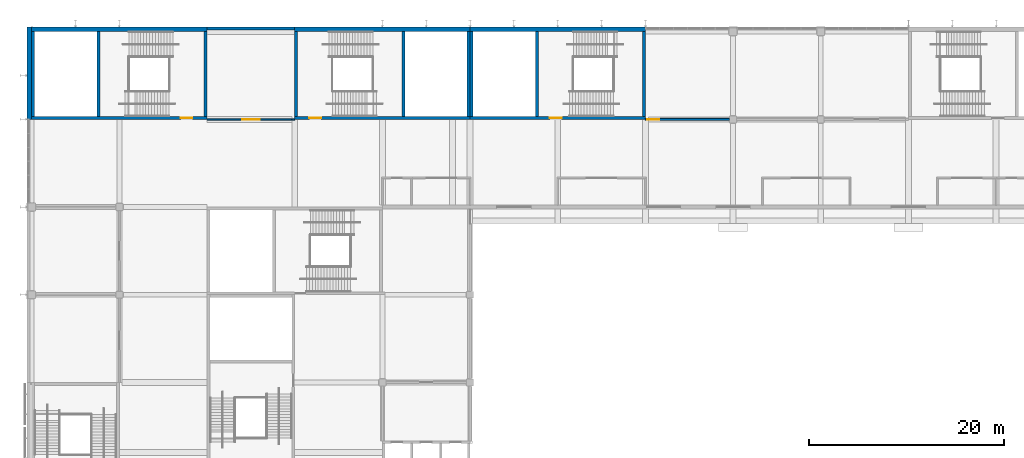
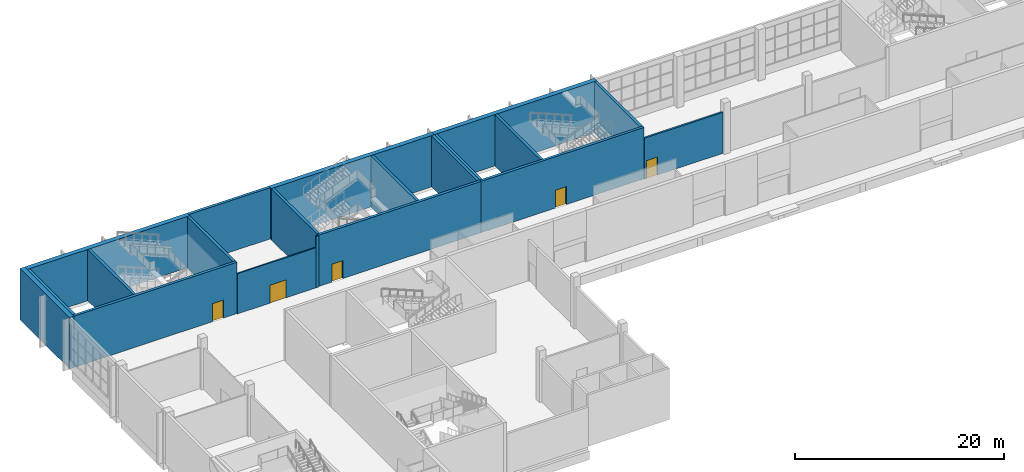
# One storey, part 47 of 89: 20 walls, 5 doors, 5 openings.
"""IFC4 building model written with IfcOpenShell, lengths in metres."""

from ifc_helpers import new_model, si_unit, direction, frame, frame_2d, origin, place, context, subcontext, project, spatial, rectangle, extrude, material, layer, layer_set, type_object, element, fill, save


model = new_model("IFC4")

# Units and contexts
model_context = context("Model", 3, precision=1e-05, world=origin(), true_north=direction((0.0, 1.0)))
body_context = subcontext(model_context, "Body", "Model", "MODEL_VIEW")
ifc_project = project(units=[si_unit("LENGTHUNIT", "METRE"), si_unit("AREAUNIT", "SQUARE_METRE"), si_unit("VOLUMEUNIT", "CUBIC_METRE"), si_unit("PLANEANGLEUNIT", "RADIAN"), si_unit("MASSUNIT", "GRAM", prefix="KILO")], contexts=[model_context])

# Site, building, storey
site_placement = place(None, origin())
site = spatial("IfcSite", under=ifc_project, at=site_placement, CompositionType="ELEMENT")
building_placement = place(site_placement, origin())
building = spatial("IfcBuilding", under=site, at=building_placement, Name="Silverbay Arena", CompositionType="ELEMENT")
storey_placement = place(building_placement, frame((0.0, 0.0, 22.0)))
storey = spatial("IfcBuildingStorey", under=building, at=storey_placement, Name="L03", CompositionType="ELEMENT", Elevation=22.0)

# Wall
ifc_material_1 = material(Name="Concrete Grade C45 precast, light finish", Category="concrete")
ifc_layer_1 = layer(ifc_material_1, 0.300048828125)
ifc_layer_set_1 = layer_set([ifc_layer_1], Name="Concrete Grade C45 precast, light finish")
wall_type_1 = type_object("IfcWallType", Name="Cladded external wall 300", PredefinedType="SOLIDWALL", material=ifc_layer_set_1)
wall_1_placement = place(storey_placement, frame((81.0, 144.35009765625, 0.0), z_axis=(0.0, 0.0, 1.0), x_axis=(-1.0, 0.0, 0.0)))
element("IfcWall", 1, at=wall_1_placement, inside=storey, type_object=wall_type_1, Name="North external wall L03 bay 3", PredefinedType="SOLIDWALL", context=body_context, shape_type="SweptSolid", body=[
    extrude(rectangle(XDim=9.0, YDim=0.300048828125, at=frame_2d((4.5, 0.0))), origin(), (0.0, 0.0, 1.0), 6.0),
])

# Wall, opening, door
ifc_material_2 = material(Name="Concrete Grade C45", Category="concrete")
ifc_layer_2 = layer(ifc_material_2, 0.300048828125)
ifc_layer_set_2 = layer_set([ifc_layer_2], Name="Concrete Grade C45")
wall_type_2 = type_object("IfcWallType", Name="Core wall RC 300 EI 120", PredefinedType="SHEAR", material=ifc_layer_set_2)
wall_2_placement = place(storey_placement, frame((81.0, 135.14990234375, 0.0), z_axis=(0.0, 0.0, 1.0), x_axis=(1.0, 0.0, 0.0)))
wall_2 = element("IfcWall", 2, at=wall_2_placement, inside=storey, type_object=wall_type_2, Name="Core wall ST-N1 L03 door side", PredefinedType="SHEAR", context=body_context, shape_type="SweptSolid", body=[
    extrude(rectangle(XDim=18.0, YDim=0.300048828125, at=frame_2d((9.0, 0.0))), origin(), (0.0, 0.0, 1.0), 6.0),
])
opening_1_placement = place(wall_2_placement, frame((1.5, 0.0, 0.0)))
opening_1 = element("IfcOpeningElement", 3, at=opening_1_placement, cuts=wall_2, Name="Opening L03-057", PredefinedType="OPENING", context=body_context, shape_type="SweptSolid", body=[
    extrude(rectangle(XDim=1.199951171875, YDim=2.10009765625, at=frame_2d((0.60009765625, 1.050048828125))), frame((0.0, 0.16015625, 0.0), z_axis=(0.0, -1.0, 0.0), x_axis=(1.0, 0.0, 0.0)), (0.0, 0.0, 1.0), 0.320068359375),
])
ifc_material_3 = material(Name="Steel fire door", Category="steel")
door_type_1 = type_object("IfcDoorType", Name="Stair door 1200 x 2100 fire door", OperationType="SINGLE_SWING_LEFT", PredefinedType="DOOR", material=ifc_material_3)
door_1_placement = place(opening_1_placement, origin())
door_1 = element("IfcDoor", 4, at=door_1_placement, inside=storey, type_object=door_type_1, Name="Stair door ST-N1 L03", OperationType="SINGLE_SWING_LEFT", OverallHeight=2.10009765625, OverallWidth=1.199951171875, PredefinedType="DOOR", context=body_context, shape_type="SweptSolid", body=[
    extrude(rectangle(XDim=1.199951171875, YDim=2.10009765625, at=frame_2d((0.60009765625, 1.050048828125))), frame((0.0, 0.02490234375, 0.0), z_axis=(0.0, -1.0, 0.0), x_axis=(1.0, 0.0, 0.0)), (0.0, 0.0, 1.0), 0.050048828125),
])
fill(opening_1, door_1)

# Walls
for number, where, z_axis, x_axis, name in (
    (5, (81.14990234375, 135.300048828125, 0.0), (0.0, 0.0, 1.0), (0.0, 1.0, 0.0), "Core wall ST-N1 L03 end 1"),
    (6, (98.85009765625, 135.300048828125, 0.0), (0.0, 0.0, 1.0), (0.0, 1.0, 0.0), "Core wall ST-N1 L03 end 2"),
    (7, (92.14990234375, 135.300048828125, 0.0), (0.0, 0.0, 1.0), (0.0, 1.0, 0.0), "Core wall ST-N1 L03 stair enclosure"),
):
    element("IfcWall", number, at=place(storey_placement, frame(where, z_axis=z_axis, x_axis=x_axis)), inside=storey, type_object=wall_type_2, Name=name, PredefinedType="SHEAR", context=body_context, shape_type="SweptSolid", body=[
        extrude(rectangle(XDim=8.699951171875, YDim=0.300048828125, at=frame_2d((4.35009765625, 0.0))), origin(), (0.0, 0.0, 1.0), 6.0),
    ])

# Wall, opening, door
wall_3_placement = place(storey_placement, frame((117.0, 135.14990234375, 0.0), z_axis=(0.0, 0.0, 1.0), x_axis=(-1.0, 0.0, 0.0)))
wall_3 = element("IfcWall", 8, at=wall_3_placement, inside=storey, type_object=wall_type_2, Name="Core wall ST-N2 L03 door side", PredefinedType="SHEAR", context=body_context, shape_type="SweptSolid", body=[
    extrude(rectangle(XDim=18.0, YDim=0.300048828125, at=frame_2d((9.0, 0.0))), origin(), (0.0, 0.0, 1.0), 6.0),
])
opening_2_placement = place(wall_3_placement, frame((8.60009765625, 0.0, 0.0)))
opening_2 = element("IfcOpeningElement", 9, at=opening_2_placement, cuts=wall_3, Name="Opening L03-058", PredefinedType="OPENING", context=body_context, shape_type="SweptSolid", body=[
    extrude(rectangle(XDim=1.199951171875, YDim=2.10009765625, at=frame_2d((0.60009765625, 1.050048828125))), frame((0.0, 0.16015625, 0.0), z_axis=(0.0, -1.0, 0.0), x_axis=(1.0, 0.0, 0.0)), (0.0, 0.0, 1.0), 0.320068359375),
])
door_2_placement = place(opening_2_placement, frame((1.199951171875, 0.0, 0.0), z_axis=(0.0, 0.0, 1.0), x_axis=(-1.0, 0.0, 0.0)))
door_2 = element("IfcDoor", 10, at=door_2_placement, inside=storey, type_object=door_type_1, Name="Stair door ST-N2 L03", OperationType="SINGLE_SWING_LEFT", OverallHeight=2.10009765625, OverallWidth=1.199951171875, PredefinedType="DOOR", context=body_context, shape_type="SweptSolid", body=[
    extrude(rectangle(XDim=1.199951171875, YDim=2.10009765625, at=frame_2d((0.60009765625, 1.050048828125))), frame((0.0, 0.02490234375, 0.0), z_axis=(0.0, -1.0, 0.0), x_axis=(1.0, 0.0, 0.0)), (0.0, 0.0, 1.0), 0.050048828125),
])
fill(opening_2, door_2)

# Walls
for number, where, z_axis, x_axis, name in (
    (11, (116.85009765625, 135.300048828125, 0.0), (0.0, 0.0, 1.0), (0.0, 1.0, 0.0), "Core wall ST-N2 L03 end 1"),
    (12, (99.14990234375, 135.300048828125, 0.0), (0.0, 0.0, 1.0), (0.0, 1.0, 0.0), "Core wall ST-N2 L03 end 2"),
    (13, (105.85009765625, 135.300048828125, 0.0), (0.0, 0.0, 1.0), (0.0, 1.0, 0.0), "Core wall ST-N2 L03 stair enclosure"),
):
    element("IfcWall", number, at=place(storey_placement, frame(where, z_axis=z_axis, x_axis=x_axis)), inside=storey, type_object=wall_type_2, Name=name, PredefinedType="SHEAR", context=body_context, shape_type="SweptSolid", body=[
        extrude(rectangle(XDim=8.699951171875, YDim=0.300048828125, at=frame_2d((4.35009765625, 0.0))), origin(), (0.0, 0.0, 1.0), 6.0),
    ])

# Wall, opening, door
wall_4_placement = place(storey_placement, frame((72.0, 135.14990234375, 0.0), z_axis=(0.0, 0.0, 1.0), x_axis=(-1.0, 0.0, 0.0)))
wall_4 = element("IfcWall", 14, at=wall_4_placement, inside=storey, type_object=wall_type_2, Name="Core wall ST-N5 L03 door side", PredefinedType="SHEAR", context=body_context, shape_type="SweptSolid", body=[
    extrude(rectangle(XDim=18.0, YDim=0.300048828125, at=frame_2d((9.0, 0.0))), origin(), (0.0, 0.0, 1.0), 6.0),
])
opening_3_placement = place(wall_4_placement, frame((1.5, 0.0, 0.0)))
opening_3 = element("IfcOpeningElement", 15, at=opening_3_placement, cuts=wall_4, Name="Opening L03-063", PredefinedType="OPENING", context=body_context, shape_type="SweptSolid", body=[
    extrude(rectangle(XDim=1.199951171875, YDim=2.10009765625, at=frame_2d((0.60009765625, 1.050048828125))), frame((0.0, 0.16015625, 0.0), z_axis=(0.0, -1.0, 0.0), x_axis=(1.0, 0.0, 0.0)), (0.0, 0.0, 1.0), 0.320068359375),
])
door_3_placement = place(opening_3_placement, frame((1.199951171875, 0.0, 0.0), z_axis=(0.0, 0.0, 1.0), x_axis=(-1.0, 0.0, 0.0)))
door_3 = element("IfcDoor", 16, at=door_3_placement, inside=storey, type_object=door_type_1, Name="Stair door ST-N5 L03", OperationType="SINGLE_SWING_RIGHT", OverallHeight=2.10009765625, OverallWidth=1.199951171875, PredefinedType="DOOR", context=body_context, shape_type="SweptSolid", body=[
    extrude(rectangle(XDim=1.199951171875, YDim=2.10009765625, at=frame_2d((0.60009765625, 1.050048828125))), frame((0.0, 0.02490234375, 0.0), z_axis=(0.0, -1.0, 0.0), x_axis=(1.0, 0.0, 0.0)), (0.0, 0.0, 1.0), 0.050048828125),
])
fill(opening_3, door_3)

# Walls
for number, where, z_axis, x_axis, name in (
    (17, (71.85009765625, 135.300048828125, 0.0), (0.0, 0.0, 1.0), (0.0, 1.0, 0.0), "Core wall ST-N5 L03 end 1"),
    (18, (54.14990234375, 135.300048828125, 0.0), (0.0, 0.0, 1.0), (0.0, 1.0, 0.0), "Core wall ST-N5 L03 end 2"),
    (19, (60.85009765625, 135.300048828125, 0.0), (0.0, 0.0, 1.0), (0.0, 1.0, 0.0), "Core wall ST-N5 L03 stair enclosure"),
):
    element("IfcWall", number, at=place(storey_placement, frame(where, z_axis=z_axis, x_axis=x_axis)), inside=storey, type_object=wall_type_2, Name=name, PredefinedType="SHEAR", context=body_context, shape_type="SweptSolid", body=[
        extrude(rectangle(XDim=8.699951171875, YDim=0.300048828125, at=frame_2d((4.35009765625, 0.0))), origin(), (0.0, 0.0, 1.0), 6.0),
    ])
ifc_material_4 = material(Name="Concrete Grade C45", Category="concrete")
ifc_layer_3 = layer(ifc_material_4, 0.5)
ifc_layer_set_3 = layer_set([ifc_layer_3], Name="Concrete Grade C45")
wall_type_3 = type_object("IfcWallType", Name="Core wall RC 500 external EI 120", PredefinedType="SHEAR", material=ifc_layer_set_3)
for number, where, z_axis, x_axis, name in (
    (20, (81.0, 144.25, 0.0), (0.0, 0.0, 1.0), (1.0, 0.0, 0.0), "Core wall ST-N1 L03 facade side"),
    (21, (117.0, 144.25, 0.0), (0.0, 0.0, 1.0), (-1.0, 0.0, 0.0), "Core wall ST-N2 L03 facade side"),
    (22, (72.0, 144.25, 0.0), (0.0, 0.0, 1.0), (-1.0, 0.0, 0.0), "Core wall ST-N5 L03 facade side"),
):
    element("IfcWall", number, at=place(storey_placement, frame(where, z_axis=z_axis, x_axis=x_axis)), inside=storey, type_object=wall_type_3, Name=name, PredefinedType="SHEAR", context=body_context, shape_type="SweptSolid", body=[
        extrude(rectangle(XDim=18.0, YDim=0.5, at=frame_2d((9.0, 0.0))), origin(), (0.0, 0.0, 1.0), 6.0),
    ])

# Wall, opening, door
ifc_material_5 = material(Name="Gypsum board partition on steel studs", Category="steel")
ifc_layer_4 = layer(ifc_material_5, 0.14990234375)
ifc_layer_set_4 = layer_set([ifc_layer_4], Name="Gypsum board partition on steel studs")
wall_type_4 = type_object("IfcWallType", Name="Partition 150 EI 60", PredefinedType="PARTITIONING", material=ifc_layer_set_4)
wall_5_placement = place(storey_placement, frame((72.0, 135.0, 0.0), z_axis=(0.0, 0.0, 1.0), x_axis=(1.0, 0.0, 0.0)))
wall_5 = element("IfcWall", 23, at=wall_5_placement, inside=storey, type_object=wall_type_4, Name="Partition wall", PredefinedType="PARTITIONING", context=body_context, shape_type="SweptSolid", body=[
    extrude(rectangle(XDim=8.699951171875, YDim=0.14990234375, at=frame_2d((4.35009765625, 0.0))), origin(), (0.0, 0.0, 1.0), 4.699951171875),
])
opening_4_placement = place(wall_5_placement, frame((3.60009765625, 0.0, 0.0)))
opening_4 = element("IfcOpeningElement", 24, at=opening_4_placement, cuts=wall_5, Name="Opening L03-006", PredefinedType="OPENING", context=body_context, shape_type="SweptSolid", body=[
    extrude(rectangle(XDim=1.800048828125, YDim=2.10009765625, at=frame_2d((0.89990234375, 1.050048828125))), frame((0.0, 0.0849609375, 0.0), z_axis=(0.0, -1.0, 0.0), x_axis=(1.0, 0.0, 0.0)), (0.0, 0.0, 1.0), 0.169921875),
])
ifc_material_6 = material(Name="Steel faced timber", Category="steel")
door_type_2 = type_object("IfcDoorType", Name="Double leaf door 1800 x 2100 FD30S", OperationType="DOUBLE_DOOR_DOUBLE_SWING", PredefinedType="DOOR", material=ifc_material_6)
door_4_placement = place(opening_4_placement, origin())
door_4 = element("IfcDoor", 25, at=door_4_placement, inside=storey, type_object=door_type_2, Name="Door L03-006", OperationType="DOUBLE_DOOR_DOUBLE_SWING", OverallHeight=2.10009765625, OverallWidth=1.800048828125, PredefinedType="DOOR", context=body_context, shape_type="SweptSolid", body=[
    extrude(rectangle(XDim=1.800048828125, YDim=2.10009765625, at=frame_2d((0.89990234375, 1.050048828125))), frame((0.0, 0.02490234375, 0.0), z_axis=(0.0, -1.0, 0.0), x_axis=(1.0, 0.0, 0.0)), (0.0, 0.0, 1.0), 0.050048828125),
])
fill(opening_4, door_4)

# Wall
wall_6_placement = place(storey_placement, frame((80.699951171875, 135.0, 0.0), z_axis=(0.0, 0.0, 1.0), x_axis=(1.0, 0.0, 0.0)))
element("IfcWall", 26, at=wall_6_placement, inside=storey, type_object=wall_type_4, Name="Partition wall", PredefinedType="PARTITIONING", context=body_context, shape_type="SweptSolid", body=[
    extrude(rectangle(XDim=0.300048828125, YDim=0.14990234375, at=frame_2d((0.14990234375, 0.0))), origin(), (0.0, 0.0, 1.0), 6.0),
])

# Wall, opening, door
ifc_material_7 = material(Name="Masonry blockwork partition", Category="masonry")
ifc_layer_5 = layer(ifc_material_7, 0.199951171875)
ifc_layer_set_5 = layer_set([ifc_layer_5], Name="Masonry blockwork partition")
wall_type_5 = type_object("IfcWallType", Name="Partition 200 EI 120", PredefinedType="PARTITIONING", material=ifc_layer_set_5)
wall_7_placement = place(storey_placement, frame((117.0, 135.0, 0.0), z_axis=(0.0, 0.0, 1.0), x_axis=(1.0, 0.0, 0.0)))
wall_7 = element("IfcWall", 27, at=wall_7_placement, inside=storey, type_object=wall_type_5, Name="Partition wall", PredefinedType="PARTITIONING", context=body_context, shape_type="SweptSolid", body=[
    extrude(rectangle(XDim=8.64990234375, YDim=0.199951171875, at=frame_2d((4.324951171875, 0.0))), origin(), (0.0, 0.0, 1.0), 4.800048828125),
])
opening_5_placement = place(wall_7_placement, frame((0.199951171875, 0.0, 0.0)))
opening_5 = element("IfcOpeningElement", 28, at=opening_5_placement, cuts=wall_7, Name="Opening L03-050", PredefinedType="OPENING", context=body_context, shape_type="SweptSolid", body=[
    extrude(rectangle(XDim=1.199951171875, YDim=2.10009765625, at=frame_2d((0.60009765625, 1.050048828125))), frame((0.0, 0.10986328125, 0.0), z_axis=(0.0, -1.0, 0.0), x_axis=(1.0, 0.0, 0.0)), (0.0, 0.0, 1.0), 0.219970703125),
])
ifc_material_8 = material(Name="Steel faced timber", Category="steel")
door_type_3 = type_object("IfcDoorType", Name="Double leaf door 1200 x 2100 FD120", OperationType="DOUBLE_DOOR_DOUBLE_SWING", PredefinedType="DOOR", material=ifc_material_8)
door_5_placement = place(opening_5_placement, frame((1.199951171875, 0.0, 0.0), z_axis=(0.0, 0.0, 1.0), x_axis=(-1.0, 0.0, 0.0)))
door_5 = element("IfcDoor", 29, at=door_5_placement, inside=storey, type_object=door_type_3, Name="Door L03-050", OperationType="DOUBLE_DOOR_DOUBLE_SWING", OverallHeight=2.10009765625, OverallWidth=1.199951171875, PredefinedType="DOOR", context=body_context, shape_type="SweptSolid", body=[
    extrude(rectangle(XDim=1.199951171875, YDim=2.10009765625, at=frame_2d((0.60009765625, 1.050048828125))), frame((0.0, 0.02490234375, 0.0), z_axis=(0.0, -1.0, 0.0), x_axis=(1.0, 0.0, 0.0)), (0.0, 0.0, 1.0), 0.050048828125),
])
fill(opening_5, door_5)

# Wall
ifc_material_9 = material(Name="Concrete Grade C45", Category="concrete")
ifc_layer_6 = layer(ifc_material_9, 0.5)
ifc_layer_set_6 = layer_set([ifc_layer_6], Name="Concrete Grade C45")
wall_type_6 = type_object("IfcWallType", Name="Stair core facade wall 500", PredefinedType="SOLIDWALL", material=ifc_layer_set_6)
wall_8_placement = place(storey_placement, frame((53.75, 144.5, 0.0), z_axis=(0.0, 0.0, 1.0), x_axis=(0.0, -1.0, 0.0)))
element("IfcWall", 30, at=wall_8_placement, inside=storey, type_object=wall_type_6, Name="West stair core facade wall L03 bay 14", PredefinedType="SOLIDWALL", context=body_context, shape_type="SweptSolid", body=[
    extrude(rectangle(XDim=9.5, YDim=0.5, at=frame_2d((4.75, 0.0))), origin(), (0.0, 0.0, 1.0), 6.0),
])

save(model, "model.ifc")
